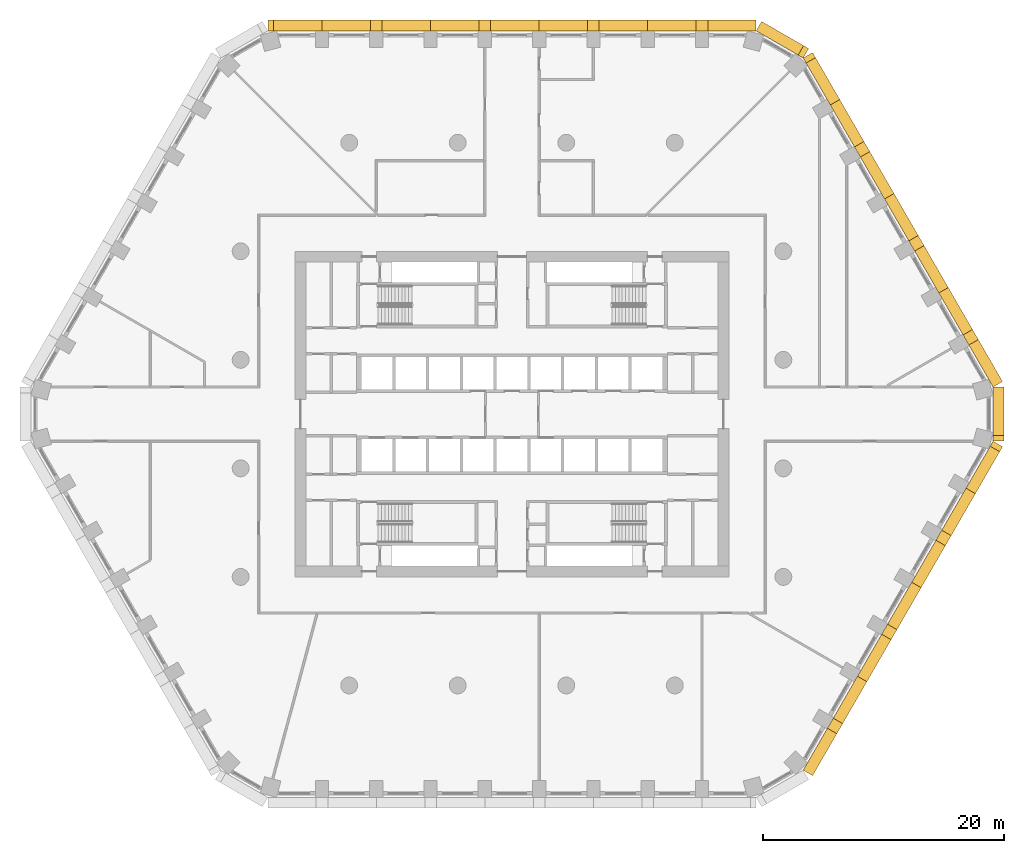
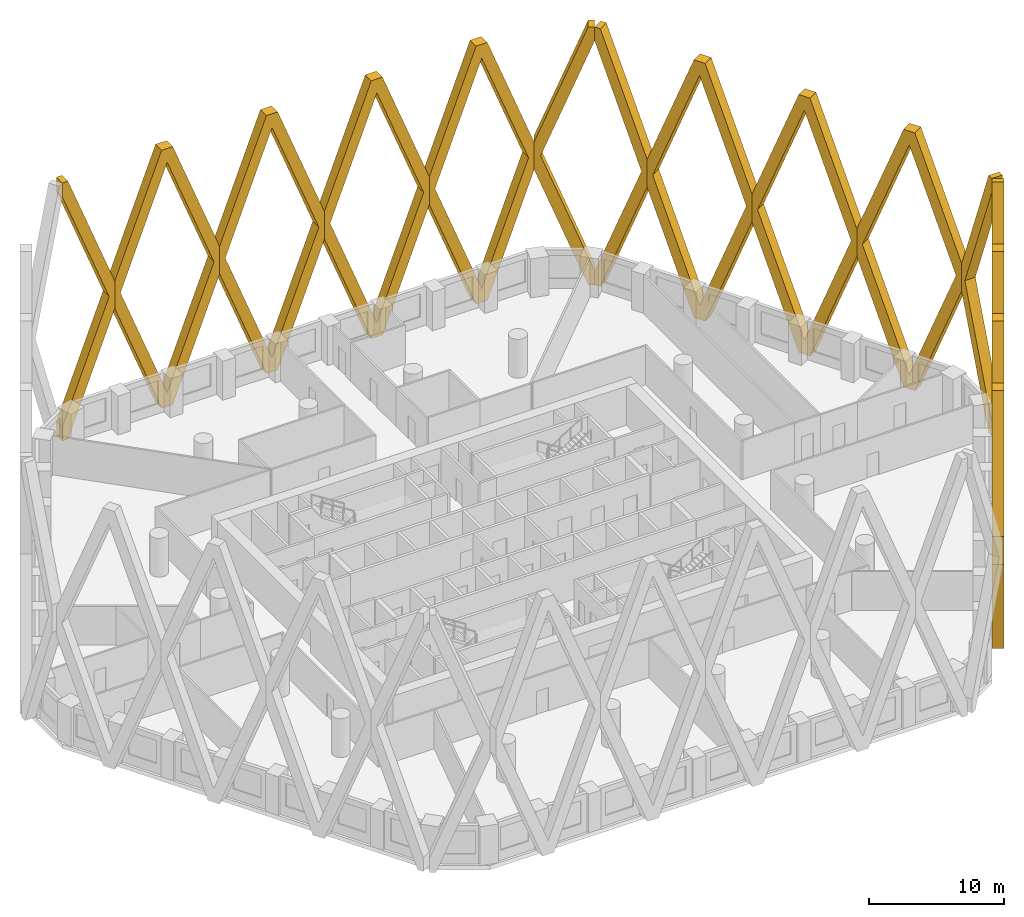
# One storey, part 18 of 18: 15 coverings.
"""IFC4 building model written with IfcOpenShell, lengths in metres."""

from ifc_helpers import new_model, si_unit, direction, frame, origin, place, context, subcontext, project, spatial, polyline, outline, extrude, material, type_object, element, save


model = new_model("IFC4")

# Units and contexts
model_context = context("Model", 3, precision=1e-05, world=origin(), true_north=direction((0.0, 1.0)))
body_context = subcontext(model_context, "Body", "Model", "MODEL_VIEW")
ifc_project = project(units=[si_unit("LENGTHUNIT", "METRE"), si_unit("AREAUNIT", "SQUARE_METRE"), si_unit("VOLUMEUNIT", "CUBIC_METRE"), si_unit("PLANEANGLEUNIT", "RADIAN"), si_unit("MASSUNIT", "GRAM", prefix="KILO")], contexts=[model_context])

# Site, building, storey
site_placement = place(None, origin())
site = spatial("IfcSite", under=ifc_project, at=site_placement, CompositionType="ELEMENT")
building_placement = place(site_placement, origin())
building = spatial("IfcBuilding", under=site, at=building_placement, Name="Dhurran Vertical Campus", CompositionType="ELEMENT")
storey_placement = place(building_placement, frame((0.0, 0.0, 53.39990234375)))
storey = spatial("IfcBuildingStorey", under=building, at=storey_placement, Name="L12", CompositionType="ELEMENT", Elevation=53.39990234375)

# Coverings
ifc_material = material(Name="Precast concrete C50/60", Category="concrete")
covering_type = type_object("IfcCoveringType", Name="Folded precast fin lattice diamond", PredefinedType="USERDEFINED", material=ifc_material)
for number, where, z_axis, x_axis, name in (
    (1, (24.147216796875, -29.52978515625, 0.0), (0.866013897511, -0.50001992892, 0.0), (0.50001992892, 0.866013897511, 0.0), "FN1 L12.007"),
    (2, (28.647216796875, -21.735595703125, 0.0), (0.866013897511, -0.50001992892, 0.0), (0.50001992892, 0.866013897511, 0.0), "FN1 L12.008"),
    (3, (33.147216796875, -13.94140625, 0.0), (0.866013897511, -0.50001992892, 0.0), (0.50001992892, 0.866013897511, 0.0), "FN1 L12.009"),
):
    element("IfcCovering", number, at=place(storey_placement, frame(where, z_axis=z_axis, x_axis=x_axis)), inside=storey, type_object=covering_type, Name=name, ObjectType="FIN", PredefinedType="USERDEFINED", context=body_context, shape_type="SweptSolid", body=[
        extrude(outline(polyline([(9.0, 12.95361328125), (9.0, 10.4462890625), (4.982177734375, 0.0), (4.017822265625, 0.0), (0.0, 10.4462890625), (0.0, 12.95361328125), (4.017822265625, 23.39990234375), (4.982177734375, 23.39990234375), (9.0, 12.95361328125)]), holes=[polyline([(8.517822265625, 11.699951171875), (4.5, 22.146484375), (0.482177734375, 11.699951171875), (4.5, 1.253662109375), (8.517822265625, 11.699951171875)])]), origin(), (0.0, 0.0, 1.0), 0.89990234375),
    ])
covering_1_placement = place(storey_placement, frame((37.647216796875, -6.147216796875, 0.0), z_axis=(0.866013897511, -0.50001992892, 0.0), x_axis=(0.50001992892, 0.866013897511, 0.0)))
element("IfcCovering", 4, at=covering_1_placement, inside=storey, type_object=covering_type, Name="FN1 L12.010", ObjectType="FIN", PredefinedType="USERDEFINED", context=body_context, shape_type="SweptSolid", body=[
    extrude(outline(polyline([(4.017822265625, 0.0), (0.0, 10.4462890625), (0.0, 12.95361328125), (4.017822265625, 23.39990234375), (4.5, 23.39990234375), (4.5, 22.146484375), (0.482177734375, 11.699951171875), (4.5, 1.253662109375), (4.5, 0.0), (4.017822265625, 0.0)])), origin(), (0.0, 0.0, 1.0), 0.89990234375),
])
covering_2_placement = place(storey_placement, frame((39.897216796875, -2.25, 0.0), z_axis=(1.0, 0.0, 0.0), x_axis=(0.0, 1.0, 0.0)))
element("IfcCovering", 5, at=covering_2_placement, inside=storey, type_object=covering_type, Name="FN1 L12.011", ObjectType="FIN", PredefinedType="USERDEFINED", context=body_context, shape_type="SweptSolid", body=[
    extrude(outline(polyline([(4.5, 10.4462890625), (0.482177734375, 0.0), (0.0, 0.0), (0.0, 1.253662109375), (4.017822265625, 11.699951171875), (0.0, 22.146484375), (0.0, 23.39990234375), (0.482177734375, 23.39990234375), (4.5, 12.95361328125), (4.5, 10.4462890625)])), origin(), (0.0, 0.0, 1.0), 0.89990234375),
])
for number, where, z_axis, x_axis, name in (
    (6, (39.897216796875, 2.25, 0.0), (0.866013897511, 0.50001992892, 0.0), (-0.50001992892, 0.866013897511, 0.0), "FN1 L12.012"),
    (7, (35.397216796875, 10.044189453125, 0.0), (0.866013897511, 0.50001992892, 0.0), (-0.50001992892, 0.866013897511, 0.0), "FN1 L12.013"),
    (8, (30.897216796875, 17.83837890625, 0.0), (0.865896406789, 0.500223362819, 0.0), (-0.500223362819, 0.865896406789, 0.0), "FN1 L12.014"),
):
    element("IfcCovering", number, at=place(storey_placement, frame(where, z_axis=z_axis, x_axis=x_axis)), inside=storey, type_object=covering_type, Name=name, ObjectType="FIN", PredefinedType="USERDEFINED", context=body_context, shape_type="SweptSolid", body=[
        extrude(outline(polyline([(9.0, 12.95361328125), (9.0, 10.4462890625), (4.982177734375, 0.0), (4.017822265625, 0.0), (0.0, 10.4462890625), (0.0, 12.95361328125), (4.017822265625, 23.39990234375), (4.982177734375, 23.39990234375), (9.0, 12.95361328125)]), holes=[polyline([(8.517822265625, 11.699951171875), (4.5, 22.146484375), (0.482177734375, 11.699951171875), (4.5, 1.253662109375), (8.517822265625, 11.699951171875)])]), origin(), (0.0, 0.0, 1.0), 0.89990234375),
    ])
covering_3_placement = place(storey_placement, frame((26.397216796875, 25.6328125, 0.0), z_axis=(0.866013897511, 0.50001992892, 0.0), x_axis=(-0.50001992892, 0.866013897511, 0.0)))
element("IfcCovering", 9, at=covering_3_placement, inside=storey, type_object=covering_type, Name="FN1 L12.015", ObjectType="FIN", PredefinedType="USERDEFINED", context=body_context, shape_type="SweptSolid", body=[
    extrude(outline(polyline([(4.017822265625, 0.0), (0.0, 10.4462890625), (0.0, 12.95361328125), (4.017822265625, 23.39990234375), (4.5, 23.39990234375), (4.5, 22.146484375), (0.482177734375, 11.699951171875), (4.5, 1.253662109375), (4.5, 0.0), (4.017822265625, 0.0)])), origin(), (0.0, 0.0, 1.0), 0.89990234375),
])
covering_4_placement = place(storey_placement, frame((24.147216796875, 29.52978515625, 0.0), z_axis=(0.50001992892, 0.866013897511, 0.0), x_axis=(-0.866013897511, 0.50001992892, 0.0)))
element("IfcCovering", 10, at=covering_4_placement, inside=storey, type_object=covering_type, Name="FN1 L12.016", ObjectType="FIN", PredefinedType="USERDEFINED", context=body_context, shape_type="SweptSolid", body=[
    extrude(outline(polyline([(4.5, 10.4462890625), (0.482177734375, 0.0), (0.0, 0.0), (0.0, 1.253662109375), (4.017822265625, 11.699951171875), (0.0, 22.146484375), (0.0, 23.39990234375), (0.482177734375, 23.39990234375), (4.5, 12.95361328125), (4.5, 10.4462890625)])), origin(), (0.0, 0.0, 1.0), 0.89990234375),
])
for number, where, z_axis, x_axis, name in (
    (11, (20.25, 31.77978515625, 0.0), (0.0, 1.0, 0.0), (-1.0, 0.0, 0.0), "FN1 L12.017"),
    (12, (11.25, 31.77978515625, 0.0), (0.0, 1.0, 0.0), (-1.0, 0.0, 0.0), "FN1 L12.018"),
    (13, (2.25, 31.77978515625, 0.0), (0.0, 1.0, 0.0), (-1.0, 0.0, 0.0), "FN1 L12.019"),
    (14, (-6.75, 31.77978515625, 0.0), (0.0, 1.0, 0.0), (-1.0, 0.0, 0.0), "FN1 L12.020"),
):
    element("IfcCovering", number, at=place(storey_placement, frame(where, z_axis=z_axis, x_axis=x_axis)), inside=storey, type_object=covering_type, Name=name, ObjectType="FIN", PredefinedType="USERDEFINED", context=body_context, shape_type="SweptSolid", body=[
        extrude(outline(polyline([(9.0, 12.95361328125), (9.0, 10.4462890625), (4.982177734375, 0.0), (4.017822265625, 0.0), (0.0, 10.4462890625), (0.0, 12.95361328125), (4.017822265625, 23.39990234375), (4.982177734375, 23.39990234375), (9.0, 12.95361328125)]), holes=[polyline([(8.517822265625, 11.699951171875), (4.5, 22.146484375), (0.482177734375, 11.699951171875), (4.5, 1.253662109375), (8.517822265625, 11.699951171875)])]), origin(), (0.0, 0.0, 1.0), 0.89990234375),
    ])
covering_5_placement = place(storey_placement, frame((-15.75, 31.77978515625, 0.0), z_axis=(0.0, 1.0, 0.0), x_axis=(-1.0, 0.0, 0.0)))
element("IfcCovering", 15, at=covering_5_placement, inside=storey, type_object=covering_type, Name="FN1 L12.021", ObjectType="FIN", PredefinedType="USERDEFINED", context=body_context, shape_type="SweptSolid", body=[
    extrude(outline(polyline([(4.017822265625, 0.0), (0.0, 10.4462890625), (0.0, 12.95361328125), (4.017822265625, 23.39990234375), (4.5, 23.39990234375), (4.5, 22.146484375), (0.482177734375, 11.699951171875), (4.5, 1.253662109375), (4.5, 0.0), (4.017822265625, 0.0)])), origin(), (0.0, 0.0, 1.0), 0.89990234375),
])

save(model, "model.ifc")
